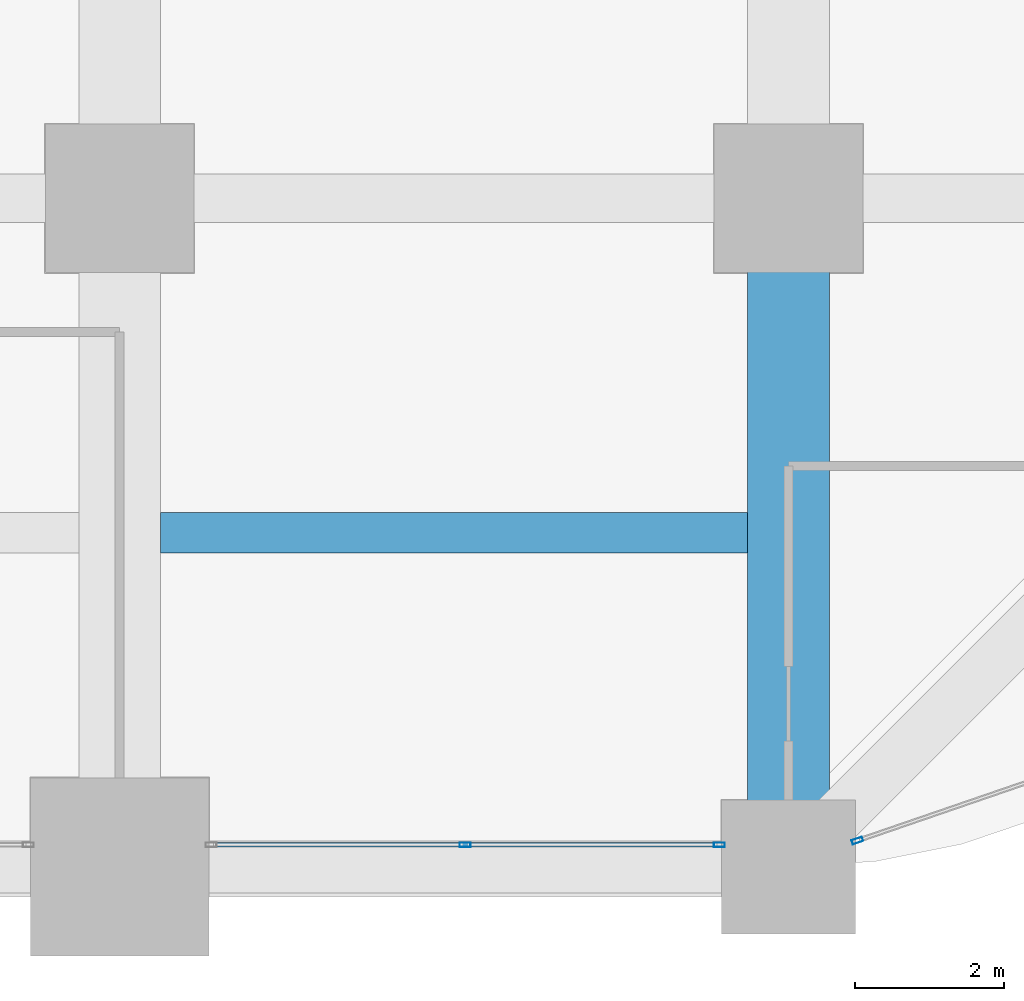
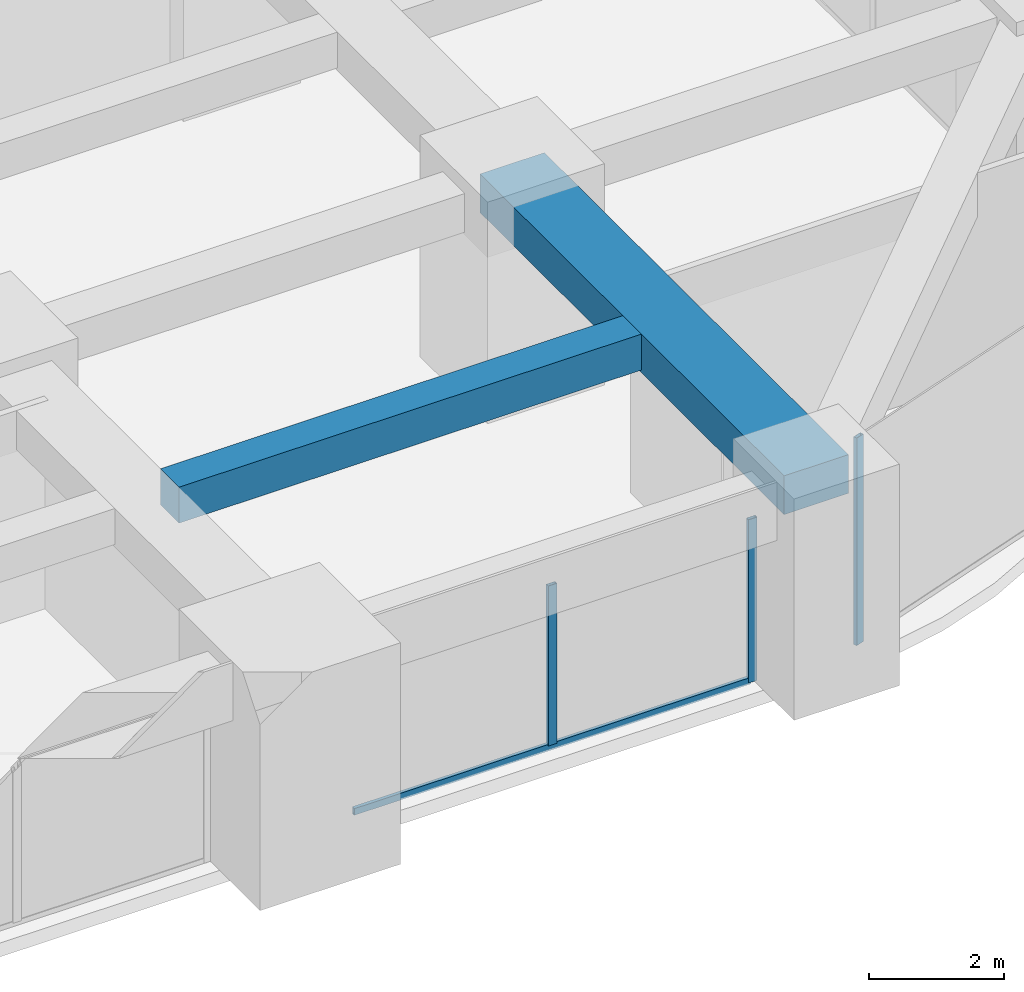
# One storey, part 16 of 39: 4 members, 2 beams, 2 elements without a shape of their own.
"""IFC4 building model written with IfcOpenShell, lengths in metres."""

from ifc_helpers import new_model, si_unit, direction, frame, origin, origin_2d, place, context, subcontext, project, spatial, rectangle, hollow_rectangle, extrude, material, material_profile, profile_set, type_object, element, aggregate, save


model = new_model("IFC4")

# Units and contexts
model_context = context("Model", 3, precision=1e-05, world=origin(), true_north=direction((0.0, 1.0)))
body_context = subcontext(model_context, "Body", "Model", "MODEL_VIEW")
ifc_project = project(units=[si_unit("LENGTHUNIT", "METRE"), si_unit("AREAUNIT", "SQUARE_METRE"), si_unit("VOLUMEUNIT", "CUBIC_METRE"), si_unit("PLANEANGLEUNIT", "RADIAN"), si_unit("MASSUNIT", "GRAM", prefix="KILO")], contexts=[model_context])

# Site, building, storey
site_placement = place(None, origin())
site = spatial("IfcSite", under=ifc_project, at=site_placement, CompositionType="ELEMENT")
building_placement = place(site_placement, origin())
building = spatial("IfcBuilding", under=site, at=building_placement, Name="Zorevar Civic Tower", CompositionType="ELEMENT")
storey_placement = place(building_placement, frame((0.0, 0.0, 121.0)))
storey = spatial("IfcBuildingStorey", under=building, at=storey_placement, Name="L29", CompositionType="ELEMENT", Elevation=121.0)

# Beams
ifc_material_1 = material(Name="Concrete C50/60", Category="concrete")
ifc_material_profile_1 = material_profile(ifc_material_1, rectangle(XDim=1.10009765625, YDim=0.699951171875, at=origin_2d()), Name="RC 1100x700")
ifc_profile_set_1 = profile_set([ifc_material_profile_1], Name="Concrete C50/60")
beam_type_1 = type_object("IfcBeamType", Name="Beam RC 1100x700", PredefinedType="BEAM", material=ifc_profile_set_1)
beam_1_placement = place(storey_placement, frame((54.0, 0.0, 3.39990234375), z_axis=(0.0, 1.0, 0.0), x_axis=(-1.0, 0.0, 0.0)))
element("IfcBeam", 1, at=beam_1_placement, inside=storey, type_object=beam_type_1, Name="Girder L30", PredefinedType="BEAM", context=body_context, shape_type="SweptSolid", body=[
    extrude(rectangle(XDim=1.10009765625, YDim=0.699951171875, at=origin_2d()), origin(), (0.0, 0.0, 1.0), 9.0),
])
ifc_material_2 = material(Name="Concrete C50/60", Category="concrete")
ifc_material_profile_2 = material_profile(ifc_material_2, rectangle(XDim=0.550048828125, YDim=0.64990234375, at=origin_2d()), Name="RC 550x650")
ifc_profile_set_2 = profile_set([ifc_material_profile_2], Name="Concrete C50/60")
beam_type_2 = type_object("IfcBeamType", Name="Beam RC 550x650", PredefinedType="BEAM", material=ifc_profile_set_2)
beam_2_placement = place(storey_placement, frame((45.550048828125, 4.5, 3.425048828125), z_axis=(1.0, 0.0, 0.0), x_axis=(0.0, 1.0, 0.0)))
element("IfcBeam", 2, at=beam_2_placement, inside=storey, type_object=beam_type_2, Name="Secondary beam L30", PredefinedType="BEAM", context=body_context, shape_type="SweptSolid", body=[
    extrude(rectangle(XDim=0.550048828125, YDim=0.64990234375, at=origin_2d()), origin(), (0.0, 0.0, 1.0), 7.89990234375),
])

# Curtain wall, members
ifc_material_3 = material(Name="Dark grey solar-control glass in black aluminium frame", Category="aluminium")
curtain_wall_type = type_object("IfcCurtainWallType", Name="Curtain wall CW3 mid zone", PredefinedType="NOTDEFINED", material=ifc_material_3)
curtain_wall_1_placement = place(storey_placement, origin())
curtain_wall_1 = element("IfcCurtainWall", 3, at=curtain_wall_1_placement, inside=storey, type_object=curtain_wall_type, Name="CW3 L29", PredefinedType="NOTDEFINED")
ifc_material_4 = material(Name="Aluminium, black anodised", Category="aluminium")
ifc_material_profile_3 = material_profile(ifc_material_4, hollow_rectangle(XDim=0.06005859375, YDim=0.14990234375, WallThickness=0.00390625, at=origin_2d()), Name="AL 150x60x4")
ifc_profile_set_3 = profile_set([ifc_material_profile_3], Name="Aluminium, black anodised")
member_type_1 = type_object("IfcMemberType", Name="CW3 mullion AL 150x60x4", PredefinedType="MULLION", material=ifc_profile_set_3)
member_1_placement = place(storey_placement, frame((49.64990234375, 0.300048828125, 0.06005859375), z_axis=(0.0, 0.0, 1.0), x_axis=(0.0, 1.0, 0.0)))
member_1 = element("IfcMember", 4, at=member_1_placement, type_object=member_type_1, Name="CW3 mullion 2", PredefinedType="MULLION", context=body_context, shape_type="SweptSolid", body=[
    extrude(hollow_rectangle(XDim=0.06005859375, YDim=0.14990234375, WallThickness=0.00390625, at=origin_2d()), origin(), (0.0, 0.0, 1.0), 2.889892578125),
])
member_2_placement = place(storey_placement, frame((53.070068359375, 0.300048828125, 0.0), z_axis=(0.0, 0.0, 1.0), x_axis=(0.0, 1.0, 0.0)))
member_2 = element("IfcMember", 5, at=member_2_placement, type_object=member_type_1, Name="CW3 mullion 3", PredefinedType="MULLION", context=body_context, shape_type="SweptSolid", body=[
    extrude(hollow_rectangle(XDim=0.06005859375, YDim=0.14990234375, WallThickness=0.00390625, at=origin_2d()), origin(), (0.0, 0.0, 1.0), 2.949951171875),
])

# Curtain wall, member
curtain_wall_2_placement = place(storey_placement, origin())
curtain_wall_2 = element("IfcCurtainWall", 6, at=curtain_wall_2_placement, inside=storey, type_object=curtain_wall_type, Name="CW3 L29", PredefinedType="NOTDEFINED")
member_3_placement = place(storey_placement, frame((54.928466796875, 0.3564453125, 0.0), z_axis=(0.0, 0.0, 1.0), x_axis=(-0.324878466857, 0.945755772794, 0.0)))
member_3 = element("IfcMember", 7, at=member_3_placement, type_object=member_type_1, Name="CW3 mullion 1", PredefinedType="MULLION", context=body_context, shape_type="SweptSolid", body=[
    extrude(hollow_rectangle(XDim=0.06005859375, YDim=0.14990234375, WallThickness=0.00390625, at=origin_2d()), origin(), (0.0, 0.0, 1.0), 3.75),
])
aggregate(curtain_wall_2, [member_3])

# Member
ifc_material_5 = material(Name="Aluminium, black anodised", Category="aluminium")
ifc_material_profile_4 = material_profile(ifc_material_5, hollow_rectangle(XDim=0.06005859375, YDim=0.1201171875, WallThickness=0.0029296875, at=origin_2d()), Name="AL 120x60x3")
ifc_profile_set_4 = profile_set([ifc_material_profile_4], Name="Aluminium, black anodised")
member_type_2 = type_object("IfcMemberType", Name="CW3 transom AL 120x60x3", PredefinedType="USERDEFINED", material=ifc_profile_set_4)
member_4_placement = place(storey_placement, frame((46.260009765625, 0.300048828125, 0.030029296875), z_axis=(1.0, 0.0, 0.0), x_axis=(0.0, 1.0, 0.0)))
member_4 = element("IfcMember", 8, at=member_4_placement, type_object=member_type_2, Name="CW3 sill transom", ObjectType="TRANSOM", PredefinedType="USERDEFINED", context=body_context, shape_type="SweptSolid", body=[
    extrude(hollow_rectangle(XDim=0.06005859375, YDim=0.1201171875, WallThickness=0.0029296875, at=origin_2d()), origin(), (0.0, 0.0, 1.0), 6.780029296875),
])

aggregate(curtain_wall_1, [member_1, member_2, member_4])

save(model, "model.ifc")
